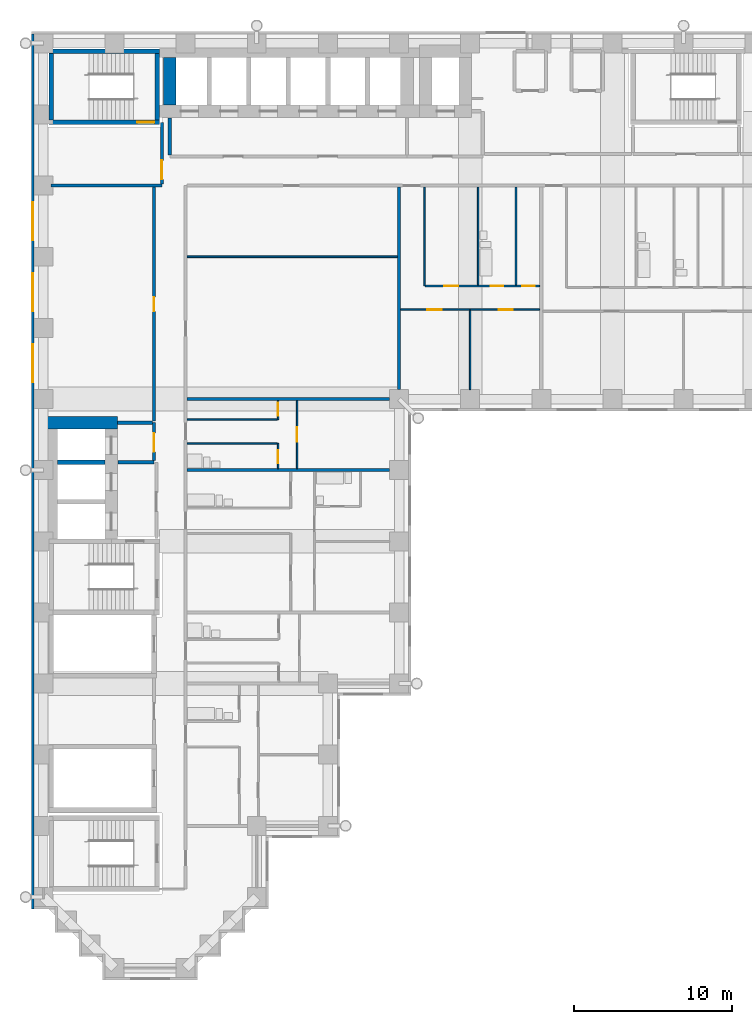
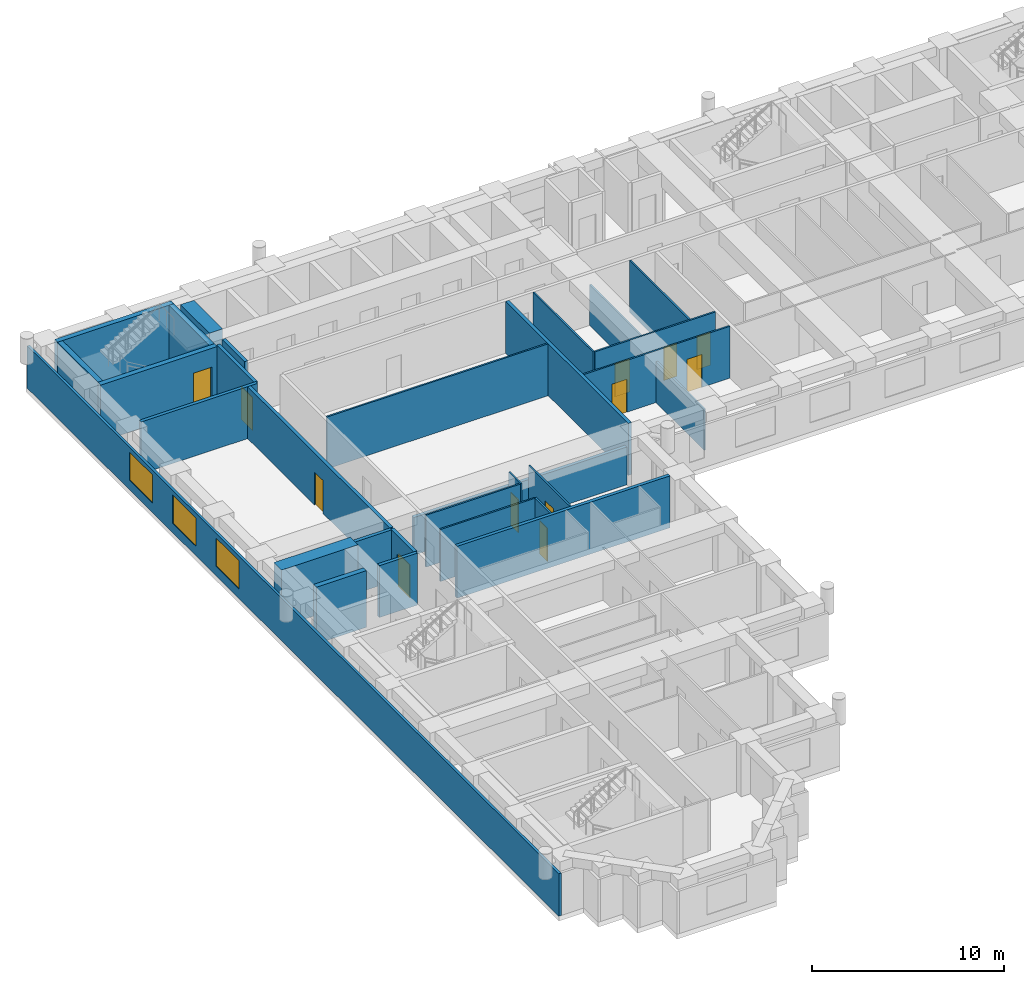
# One storey, part 7 of 14: 30 walls, 12 doors, 3 windows, 15 openings.
"""IFC4 building model written with IfcOpenShell, lengths in metres."""

from ifc_helpers import new_model, si_unit, direction, frame, frame_2d, origin, place, context, subcontext, project, spatial, rectangle, extrude, material, layer, layer_set, type_object, element, fill, save


model = new_model("IFC4")

# Units and contexts
model_context = context("Model", 3, precision=1e-05, world=origin(), true_north=direction((0.0, 1.0)))
body_context = subcontext(model_context, "Body", "Model", "MODEL_VIEW")
ifc_project = project(units=[si_unit("LENGTHUNIT", "METRE"), si_unit("AREAUNIT", "SQUARE_METRE"), si_unit("VOLUMEUNIT", "CUBIC_METRE"), si_unit("PLANEANGLEUNIT", "RADIAN"), si_unit("MASSUNIT", "GRAM", prefix="KILO")], contexts=[model_context])

# Site, building, storey
site_placement = place(None, origin())
site = spatial("IfcSite", under=ifc_project, at=site_placement, CompositionType="ELEMENT")
building_placement = place(site_placement, origin())
building = spatial("IfcBuilding", under=site, at=building_placement, Name="Firuza Court", CompositionType="ELEMENT")
storey_placement = place(building_placement, frame((0.0, 0.0, 90.199951171875)))
storey = spatial("IfcBuildingStorey", under=building, at=storey_placement, Name="L22", CompositionType="ELEMENT", Elevation=90.199951171875)

# Walls
ifc_material_1 = material(Name="Moisture-resistant gypsum board partition")
ifc_layer_1 = layer(ifc_material_1, 0.10009765625)
ifc_layer_set_1 = layer_set([ifc_layer_1], Name="Moisture-resistant gypsum board partition")
wall_type_1 = type_object("IfcWallType", Name="Bathroom partition 100", PredefinedType="PLUMBINGWALL", material=ifc_layer_set_1)
wall_1_placement = place(storey_placement, frame((9.10009765625, 33.199951171875, 0.0), z_axis=(0.0, 0.0, 1.0), x_axis=(1.0, 0.0, 0.0)))
element("IfcWall", 1, at=wall_1_placement, inside=storey, type_object=wall_type_1, Name="Bathroom partition 100 L22", PredefinedType="PLUMBINGWALL", context=body_context, shape_type="SweptSolid", body=[
    extrude(rectangle(XDim=5.699951171875, YDim=0.10009765625, at=frame_2d((2.85009765625, 0.0))), origin(), (0.0, 0.0, 1.0), 3.300048828125),
])
wall_2_placement = place(storey_placement, frame((27.5, 43.199951171875, 0.0), z_axis=(0.0, 0.0, 1.0), x_axis=(0.0, 1.0, 0.0)))
element("IfcWall", 2, at=wall_2_placement, inside=storey, type_object=wall_type_1, Name="Bathroom partition 100 L22", PredefinedType="PLUMBINGWALL", context=body_context, shape_type="SweptSolid", body=[
    extrude(rectangle(XDim=6.199951171875, YDim=0.10009765625, at=frame_2d((3.10009765625, 0.0))), origin(), (0.0, 0.0, 1.0), 2.60009765625),
])
wall_3_placement = place(storey_placement, frame((29.89990234375, 43.199951171875, 0.0), z_axis=(0.0, 0.0, 1.0), x_axis=(0.0, 1.0, 0.0)))
element("IfcWall", 3, at=wall_3_placement, inside=storey, type_object=wall_type_1, Name="Bathroom partition 100 L22", PredefinedType="PLUMBINGWALL", context=body_context, shape_type="SweptSolid", body=[
    extrude(rectangle(XDim=6.199951171875, YDim=0.10009765625, at=frame_2d((3.10009765625, 0.0))), origin(), (0.0, 0.0, 1.0), 3.300048828125),
])

# Wall, opening, door
ifc_material_2 = material(Name="Concrete C60/75", Category="concrete")
ifc_layer_2 = layer(ifc_material_2, 0.300048828125)
ifc_layer_set_2 = layer_set([ifc_layer_2], Name="Concrete C60/75")
wall_type_2 = type_object("IfcWallType", Name="Core wall 300 C60/75", PredefinedType="SHEAR", material=ifc_layer_set_2)
wall_4_placement = place(storey_placement, frame((0.35009765625, 53.5, -0.300048828125), z_axis=(0.0, 0.0, 1.0), x_axis=(1.0, 0.0, 0.0)))
wall_4 = element("IfcWall", 4, at=wall_4_placement, inside=storey, type_object=wall_type_2, Name="Core wall stair L22", PredefinedType="SHEAR", context=body_context, shape_type="SweptSolid", body=[
    extrude(rectangle(XDim=7.0, YDim=0.300048828125, at=frame_2d((3.5, 0.0))), origin(), (0.0, 0.0, 1.0), 3.60009765625),
])
opening_1_placement = place(wall_4_placement, frame((5.580078125, 0.0, 0.300048828125)))
opening_1 = element("IfcOpeningElement", 5, at=opening_1_placement, cuts=wall_4, Name="Opening D22016", PredefinedType="OPENING", context=body_context, shape_type="SweptSolid", body=[
    extrude(rectangle(XDim=1.10009765625, YDim=2.10009765625, at=frame_2d((0.550048828125, 1.050048828125))), frame((0.0, 0.162109375, 0.0), z_axis=(0.0, -1.0, 0.0), x_axis=(1.0, 0.0, 0.0)), (0.0, 0.0, 1.0), 0.323974609375),
])
ifc_material_3 = material(Name="Timber door leaf in hardwood frame", Category="wood")
door_type_1 = type_object("IfcDoorType", Name="Stair door 1100", OperationType="SINGLE_SWING_LEFT", PredefinedType="DOOR", material=ifc_material_3)
door_1_placement = place(opening_1_placement, origin())
door_1 = element("IfcDoor", 6, at=door_1_placement, inside=storey, type_object=door_type_1, Name="Stair door S3", OperationType="SINGLE_SWING_RIGHT", OverallHeight=2.10009765625, OverallWidth=1.10009765625, PredefinedType="DOOR", context=body_context, shape_type="SweptSolid", body=[
    extrude(rectangle(XDim=1.10009765625, YDim=2.10009765625, at=frame_2d((0.550048828125, 1.050048828125))), frame((0.0, 0.02490234375, 0.0), z_axis=(0.0, -1.0, 0.0), x_axis=(1.0, 0.0, 0.0)), (0.0, 0.0, 1.0), 0.050048828125),
])
fill(opening_1, door_1)

# Walls
wall_5_placement = place(storey_placement, frame((0.35009765625, 58.0, -0.300048828125), z_axis=(0.0, 0.0, 1.0), x_axis=(1.0, 0.0, 0.0)))
element("IfcWall", 7, at=wall_5_placement, inside=storey, type_object=wall_type_2, Name="Core wall stair L22", PredefinedType="SHEAR", context=body_context, shape_type="SweptSolid", body=[
    extrude(rectangle(XDim=7.0, YDim=0.300048828125, at=frame_2d((3.5, 0.0))), origin(), (0.0, 0.0, 1.0), 3.60009765625),
])
wall_6_placement = place(storey_placement, frame((0.5, 53.64990234375, -0.300048828125), z_axis=(0.0, 0.0, 1.0), x_axis=(0.0, 1.0, 0.0)))
element("IfcWall", 8, at=wall_6_placement, inside=storey, type_object=wall_type_2, Name="Core wall stair L22", PredefinedType="SHEAR", context=body_context, shape_type="SweptSolid", body=[
    extrude(rectangle(XDim=4.2001953125, YDim=0.300048828125, at=frame_2d((2.10009765625, 0.0))), origin(), (0.0, 0.0, 1.0), 3.60009765625),
])
wall_7_placement = place(storey_placement, frame((0.89990234375, 32.0, -0.300048828125), z_axis=(0.0, 0.0, 1.0), x_axis=(1.0, 0.0, 0.0)))
element("IfcWall", 9, at=wall_7_placement, inside=storey, type_object=wall_type_2, Name="Core wall lift shaft L22", PredefinedType="SHEAR", context=body_context, shape_type="SweptSolid", body=[
    extrude(rectangle(XDim=3.0, YDim=0.300048828125, at=frame_2d((1.5, 0.0))), origin(), (0.0, 0.0, 1.0), 3.60009765625),
])
wall_8_placement = place(storey_placement, frame((7.199951171875, 53.64990234375, -0.300048828125), z_axis=(0.0, 0.0, 1.0), x_axis=(0.0, 1.0, 0.0)))
element("IfcWall", 10, at=wall_8_placement, inside=storey, type_object=wall_type_2, Name="Core wall stair L22", PredefinedType="SHEAR", context=body_context, shape_type="SweptSolid", body=[
    extrude(rectangle(XDim=4.2001953125, YDim=0.300048828125, at=frame_2d((2.10009765625, 0.0))), origin(), (0.0, 0.0, 1.0), 3.60009765625),
])
ifc_layer_3 = layer(ifc_material_2, 0.800048828125)
ifc_layer_set_3 = layer_set([ifc_layer_3], Name="Concrete C60/75")
wall_type_3 = type_object("IfcWallType", Name="Core wall 800 C60/75", PredefinedType="SHEAR", material=ifc_layer_set_3)
wall_9_placement = place(storey_placement, frame((0.10009765625, 34.5, -0.300048828125), z_axis=(0.0, 0.0, 1.0), x_axis=(1.0, 0.0, 0.0)))
element("IfcWall", 11, at=wall_9_placement, inside=storey, type_object=wall_type_3, Name="Core wall lift shaft L22", PredefinedType="SHEAR", context=body_context, shape_type="SweptSolid", body=[
    extrude(rectangle(XDim=4.599853515625, YDim=0.800048828125, at=frame_2d((2.2998046875, 0.0))), origin(), (0.0, 0.0, 1.0), 3.60009765625),
])
wall_10_placement = place(storey_placement, frame((8.0, 54.60009765625, -0.300048828125), z_axis=(0.0, 0.0, 1.0), x_axis=(0.0, 1.0, 0.0)))
element("IfcWall", 12, at=wall_10_placement, inside=storey, type_object=wall_type_3, Name="Core wall lift shaft L22", PredefinedType="SHEAR", context=body_context, shape_type="SweptSolid", body=[
    extrude(rectangle(XDim=3.0, YDim=0.800048828125, at=frame_2d((1.5, 0.0))), origin(), (0.0, 0.0, 1.0), 3.60009765625),
])

# Wall, opening, door
ifc_material_4 = material(Name="Blockwork, plastered both sides", Category="masonry")
ifc_layer_4 = layer(ifc_material_4, 0.199951171875)
ifc_layer_set_4 = layer_set([ifc_layer_4], Name="Blockwork, plastered both sides")
wall_type_4 = type_object("IfcWallType", Name="Corridor wall 200", PredefinedType="PARTITIONING", material=ifc_layer_set_4)
wall_11_placement = place(storey_placement, frame((7.0, 34.60009765625, 0.0), z_axis=(0.0, 0.0, 1.0), x_axis=(0.0, 1.0, 0.0)))
wall_11 = element("IfcWall", 13, at=wall_11_placement, inside=storey, type_object=wall_type_4, Name="Corridor wall 200 L22", PredefinedType="PARTITIONING", context=body_context, shape_type="SweptSolid", body=[
    extrude(rectangle(XDim=14.7998046875, YDim=0.199951171875, at=frame_2d((7.39990234375, 0.0))), origin(), (0.0, 0.0, 1.0), 3.300048828125),
])
opening_2_placement = place(wall_11_placement, frame((6.949951171875, 0.0, 0.0)))
opening_2 = element("IfcOpeningElement", 14, at=opening_2_placement, cuts=wall_11, Name="Opening D22040", PredefinedType="OPENING", context=body_context, shape_type="SweptSolid", body=[
    extrude(rectangle(XDim=0.89990234375, YDim=2.10009765625, at=frame_2d((0.449951171875, 1.050048828125))), frame((0.0, 0.11181640625, 0.0), z_axis=(0.0, -1.0, 0.0), x_axis=(1.0, 0.0, 0.0)), (0.0, 0.0, 1.0), 0.223876953125),
])
ifc_material_5 = material(Name="Timber door leaf in hardwood frame", Category="wood")
door_type_2 = type_object("IfcDoorType", Name="Room door 900 EI 30", OperationType="SINGLE_SWING_LEFT", PredefinedType="DOOR", material=ifc_material_5)
door_2_placement = place(opening_2_placement, origin())
door_2 = element("IfcDoor", 15, at=door_2_placement, inside=storey, type_object=door_type_2, Name="Residents' workroom door", OperationType="SINGLE_SWING_LEFT", OverallHeight=2.10009765625, OverallWidth=0.89990234375, PredefinedType="DOOR", context=body_context, shape_type="SweptSolid", body=[
    extrude(rectangle(XDim=0.89990234375, YDim=2.10009765625, at=frame_2d((0.449951171875, 1.050048828125))), frame((0.0, 0.02490234375, 0.0), z_axis=(0.0, -1.0, 0.0), x_axis=(1.0, 0.0, 0.0)), (0.0, 0.0, 1.0), 0.050048828125),
])
fill(opening_2, door_2)

ifc_material_6 = material(Name="Timber stud partition, plasterboard both sides", Category="wood")
ifc_layer_5 = layer(ifc_material_6, 0.10009765625)
ifc_layer_set_5 = layer_set([ifc_layer_5], Name="Timber stud partition, plasterboard both sides")
wall_type_5 = type_object("IfcWallType", Name="Partition wall 100", PredefinedType="PARTITIONING", material=ifc_layer_set_5)
wall_12_placement = place(storey_placement, frame((14.85009765625, 31.60009765625, 0.0), z_axis=(0.0, 0.0, 1.0), x_axis=(0.0, 1.0, 0.0)))
wall_12 = element("IfcWall", 16, at=wall_12_placement, inside=storey, type_object=wall_type_5, Name="Partition wall 100 L22", PredefinedType="PARTITIONING", context=body_context, shape_type="SweptSolid", body=[
    extrude(rectangle(XDim=1.599853515625, YDim=0.10009765625, at=frame_2d((0.7998046875, 0.0))), origin(), (0.0, 0.0, 1.0), 3.300048828125),
])
opening_3_placement = place(wall_12_placement, frame((0.35009765625, 0.0, 0.0)))
opening_3 = element("IfcOpeningElement", 17, at=opening_3_placement, cuts=wall_12, Name="Opening D22038", PredefinedType="OPENING", context=body_context, shape_type="SweptSolid", body=[
    extrude(rectangle(XDim=0.800048828125, YDim=2.10009765625, at=frame_2d((0.39990234375, 1.050048828125))), frame((0.0, 0.06201171875, 0.0), z_axis=(0.0, -1.0, 0.0), x_axis=(1.0, 0.0, 0.0)), (0.0, 0.0, 1.0), 0.1240234375),
])
ifc_material_7 = material(Name="Timber door leaf in hardwood frame", Category="wood")
door_type_3 = type_object("IfcDoorType", Name="Bathroom door 800", OperationType="SINGLE_SWING_LEFT", PredefinedType="DOOR", material=ifc_material_7)
door_3_placement = place(opening_3_placement, origin())
door_3 = element("IfcDoor", 18, at=door_3_placement, inside=storey, type_object=door_type_3, Name="Bathroom door", OperationType="SINGLE_SWING_LEFT", OverallHeight=2.10009765625, OverallWidth=0.800048828125, PredefinedType="DOOR", context=body_context, shape_type="SweptSolid", body=[
    extrude(rectangle(XDim=0.800048828125, YDim=2.10009765625, at=frame_2d((0.39990234375, 1.050048828125))), frame((0.0, 0.02490234375, 0.0), z_axis=(0.0, -1.0, 0.0), x_axis=(1.0, 0.0, 0.0)), (0.0, 0.0, 1.0), 0.050048828125),
])
fill(opening_3, door_3)

wall_13_placement = place(storey_placement, frame((16.050048828125, 31.60009765625, 0.0), z_axis=(0.0, 0.0, 1.0), x_axis=(0.0, 1.0, 0.0)))
wall_13 = element("IfcWall", 19, at=wall_13_placement, inside=storey, type_object=wall_type_5, Name="Partition wall 100 L22", PredefinedType="PARTITIONING", context=body_context, shape_type="SweptSolid", body=[
    extrude(rectangle(XDim=4.2998046875, YDim=0.10009765625, at=frame_2d((2.14990234375, 0.0))), origin(), (0.0, 0.0, 1.0), 3.300048828125),
])
opening_4_placement = place(wall_13_placement, frame((1.699951171875, 0.0, 0.0)))
opening_4 = element("IfcOpeningElement", 20, at=opening_4_placement, cuts=wall_13, Name="Opening D22039", PredefinedType="OPENING", context=body_context, shape_type="SweptSolid", body=[
    extrude(rectangle(XDim=0.89990234375, YDim=2.10009765625, at=frame_2d((0.449951171875, 1.050048828125))), frame((0.0, 0.06201171875, 0.0), z_axis=(0.0, -1.0, 0.0), x_axis=(1.0, 0.0, 0.0)), (0.0, 0.0, 1.0), 0.1240234375),
])
ifc_material_8 = material(Name="Timber door leaf in hardwood frame", Category="wood")
door_type_4 = type_object("IfcDoorType", Name="Room door 900", OperationType="SINGLE_SWING_LEFT", PredefinedType="DOOR", material=ifc_material_8)
door_4_placement = place(opening_4_placement, frame((0.89990234375, 0.0, 0.0), z_axis=(0.0, 0.0, 1.0), x_axis=(-1.0, 0.0, 0.0)))
door_4 = element("IfcDoor", 21, at=door_4_placement, inside=storey, type_object=door_type_4, Name="Studio room door", OperationType="SINGLE_SWING_RIGHT", OverallHeight=2.10009765625, OverallWidth=0.89990234375, PredefinedType="DOOR", context=body_context, shape_type="SweptSolid", body=[
    extrude(rectangle(XDim=0.89990234375, YDim=2.10009765625, at=frame_2d((0.449951171875, 1.050048828125))), frame((0.0, 0.02490234375, 0.0), z_axis=(0.0, -1.0, 0.0), x_axis=(1.0, 0.0, 0.0)), (0.0, 0.0, 1.0), 0.050048828125),
])
fill(opening_4, door_4)

# Wall
wall_14_placement = place(storey_placement, frame((9.10009765625, 34.699951171875, 0.0), z_axis=(0.0, 0.0, 1.0), x_axis=(1.0, 0.0, 0.0)))
element("IfcWall", 22, at=wall_14_placement, inside=storey, type_object=wall_type_5, Name="Partition wall 100 L22", PredefinedType="PARTITIONING", context=body_context, shape_type="SweptSolid", body=[
    extrude(rectangle(XDim=5.699951171875, YDim=0.10009765625, at=frame_2d((2.85009765625, 0.0))), origin(), (0.0, 0.0, 1.0), 3.300048828125),
])

# Wall, opening, door
wall_15_placement = place(storey_placement, frame((14.85009765625, 34.699951171875, 0.0), z_axis=(0.0, 0.0, 1.0), x_axis=(0.0, 1.0, 0.0)))
wall_15 = element("IfcWall", 23, at=wall_15_placement, inside=storey, type_object=wall_type_5, Name="Partition wall 100 L22", PredefinedType="PARTITIONING", context=body_context, shape_type="SweptSolid", body=[
    extrude(rectangle(XDim=1.199951171875, YDim=0.10009765625, at=frame_2d((0.60009765625, 0.0))), origin(), (0.0, 0.0, 1.0), 3.300048828125),
])
opening_5_placement = place(wall_15_placement, frame((0.25, 0.0, 0.0)))
opening_5 = element("IfcOpeningElement", 24, at=opening_5_placement, cuts=wall_15, Name="Opening D22041", PredefinedType="OPENING", context=body_context, shape_type="SweptSolid", body=[
    extrude(rectangle(XDim=0.800048828125, YDim=2.10009765625, at=frame_2d((0.39990234375, 1.050048828125))), frame((0.0, 0.06201171875, 0.0), z_axis=(0.0, -1.0, 0.0), x_axis=(1.0, 0.0, 0.0)), (0.0, 0.0, 1.0), 0.1240234375),
])
ifc_material_9 = material(Name="Timber door leaf in hardwood frame", Category="wood")
door_type_5 = type_object("IfcDoorType", Name="Room door 800", OperationType="SINGLE_SWING_LEFT", PredefinedType="DOOR", material=ifc_material_9)
door_5_placement = place(opening_5_placement, origin())
door_5 = element("IfcDoor", 25, at=door_5_placement, inside=storey, type_object=door_type_5, Name="Kitchen door", OperationType="SINGLE_SWING_LEFT", OverallHeight=2.10009765625, OverallWidth=0.800048828125, PredefinedType="DOOR", context=body_context, shape_type="SweptSolid", body=[
    extrude(rectangle(XDim=0.800048828125, YDim=2.10009765625, at=frame_2d((0.39990234375, 1.050048828125))), frame((0.0, 0.02490234375, 0.0), z_axis=(0.0, -1.0, 0.0), x_axis=(1.0, 0.0, 0.0)), (0.0, 0.0, 1.0), 0.050048828125),
])
fill(opening_5, door_5)

# Wall
wall_16_placement = place(storey_placement, frame((27.0, 36.60009765625, 0.0), z_axis=(0.0, 0.0, 1.0), x_axis=(0.0, 1.0, 0.0)))
element("IfcWall", 26, at=wall_16_placement, inside=storey, type_object=wall_type_5, Name="Partition wall 100 L22", PredefinedType="PARTITIONING", context=body_context, shape_type="SweptSolid", body=[
    extrude(rectangle(XDim=5.0, YDim=0.10009765625, at=frame_2d((2.5, 0.0))), origin(), (0.0, 0.0, 1.0), 2.60009765625),
])

# Wall, openings, doors
wall_17_placement = place(storey_placement, frame((22.60009765625, 41.64990234375, 0.0), z_axis=(0.0, 0.0, 1.0), x_axis=(1.0, 0.0, 0.0)))
wall_17 = element("IfcWall", 27, at=wall_17_placement, inside=storey, type_object=wall_type_5, Name="Partition wall 100 L22", PredefinedType="PARTITIONING", context=body_context, shape_type="SweptSolid", body=[
    extrude(rectangle(XDim=8.7998046875, YDim=0.10009765625, at=frame_2d((4.39990234375, 0.0))), origin(), (0.0, 0.0, 1.0), 3.300048828125),
])
opening_6_placement = place(wall_17_placement, frame((1.699951171875, 0.0, 0.0)))
opening_6 = element("IfcOpeningElement", 28, at=opening_6_placement, cuts=wall_17, Name="Opening D22046", PredefinedType="OPENING", context=body_context, shape_type="SweptSolid", body=[
    extrude(rectangle(XDim=0.89990234375, YDim=2.10009765625, at=frame_2d((0.449951171875, 1.050048828125))), frame((0.0, 0.06201171875, 0.0), z_axis=(0.0, -1.0, 0.0), x_axis=(1.0, 0.0, 0.0)), (0.0, 0.0, 1.0), 0.1240234375),
])
opening_7_placement = place(wall_17_placement, frame((6.199951171875, 0.0, 0.0)))
opening_7 = element("IfcOpeningElement", 29, at=opening_7_placement, cuts=wall_17, Name="Opening D22047", PredefinedType="OPENING", context=body_context, shape_type="SweptSolid", body=[
    extrude(rectangle(XDim=0.89990234375, YDim=2.10009765625, at=frame_2d((0.449951171875, 1.050048828125))), frame((0.0, 0.06201171875, 0.0), z_axis=(0.0, -1.0, 0.0), x_axis=(1.0, 0.0, 0.0)), (0.0, 0.0, 1.0), 0.1240234375),
])
door_6_placement = place(opening_6_placement, frame((0.89990234375, 0.0, 0.0), z_axis=(0.0, 0.0, 1.0), x_axis=(-1.0, 0.0, 0.0)))
door_6 = element("IfcDoor", 30, at=door_6_placement, inside=storey, type_object=door_type_4, Name="Living room door", OperationType="SINGLE_SWING_RIGHT", OverallHeight=2.10009765625, OverallWidth=0.89990234375, PredefinedType="DOOR", context=body_context, shape_type="SweptSolid", body=[
    extrude(rectangle(XDim=0.89990234375, YDim=2.10009765625, at=frame_2d((0.449951171875, 1.050048828125))), frame((0.0, 0.02490234375, 0.0), z_axis=(0.0, -1.0, 0.0), x_axis=(1.0, 0.0, 0.0)), (0.0, 0.0, 1.0), 0.050048828125),
])
fill(opening_6, door_6)
door_7_placement = place(opening_7_placement, frame((0.89990234375, 0.0, 0.0), z_axis=(0.0, 0.0, 1.0), x_axis=(-1.0, 0.0, 0.0)))
door_7 = element("IfcDoor", 31, at=door_7_placement, inside=storey, type_object=door_type_4, Name="Bedroom door", OperationType="SINGLE_SWING_RIGHT", OverallHeight=2.10009765625, OverallWidth=0.89990234375, PredefinedType="DOOR", context=body_context, shape_type="SweptSolid", body=[
    extrude(rectangle(XDim=0.89990234375, YDim=2.10009765625, at=frame_2d((0.449951171875, 1.050048828125))), frame((0.0, 0.02490234375, 0.0), z_axis=(0.0, -1.0, 0.0), x_axis=(1.0, 0.0, 0.0)), (0.0, 0.0, 1.0), 0.050048828125),
])
fill(opening_7, door_7)

# Wall
wall_18_placement = place(storey_placement, frame((24.10009765625, 43.14990234375, 0.0), z_axis=(0.0, 0.0, 1.0), x_axis=(0.0, 1.0, 0.0)))
element("IfcWall", 32, at=wall_18_placement, inside=storey, type_object=wall_type_5, Name="Partition wall 100 L22", PredefinedType="PARTITIONING", context=body_context, shape_type="SweptSolid", body=[
    extrude(rectangle(XDim=6.25, YDim=0.10009765625, at=frame_2d((3.125, 0.0))), origin(), (0.0, 0.0, 1.0), 3.300048828125),
])

# Wall, openings, doors
wall_19_placement = place(storey_placement, frame((24.14990234375, 43.14990234375, 0.0), z_axis=(0.0, 0.0, 1.0), x_axis=(1.0, 0.0, 0.0)))
wall_19 = element("IfcWall", 33, at=wall_19_placement, inside=storey, type_object=wall_type_5, Name="Partition wall 100 L22", PredefinedType="PARTITIONING", context=body_context, shape_type="SweptSolid", body=[
    extrude(rectangle(XDim=7.25, YDim=0.10009765625, at=frame_2d((3.625, 0.0))), origin(), (0.0, 0.0, 1.0), 3.300048828125),
])
opening_8_placement = place(wall_19_placement, frame((4.14990234375, 0.0, 0.0)))
opening_8 = element("IfcOpeningElement", 34, at=opening_8_placement, cuts=wall_19, Name="Opening D22058", PredefinedType="OPENING", context=body_context, shape_type="SweptSolid", body=[
    extrude(rectangle(XDim=0.800048828125, YDim=2.10009765625, at=frame_2d((0.39990234375, 1.050048828125))), frame((0.0, 0.06201171875, 0.0), z_axis=(0.0, -1.0, 0.0), x_axis=(1.0, 0.0, 0.0)), (0.0, 0.0, 1.0), 0.1240234375),
])
opening_9_placement = place(wall_19_placement, frame((1.199951171875, 0.0, 0.0)))
opening_9 = element("IfcOpeningElement", 35, at=opening_9_placement, cuts=wall_19, Name="Opening D22059", PredefinedType="OPENING", context=body_context, shape_type="SweptSolid", body=[
    extrude(rectangle(XDim=0.89990234375, YDim=2.10009765625, at=frame_2d((0.449951171875, 1.050048828125))), frame((0.0, 0.06201171875, 0.0), z_axis=(0.0, -1.0, 0.0), x_axis=(1.0, 0.0, 0.0)), (0.0, 0.0, 1.0), 0.1240234375),
])
opening_10_placement = place(wall_19_placement, frame((6.14990234375, 0.0, 0.0)))
opening_10 = element("IfcOpeningElement", 36, at=opening_10_placement, cuts=wall_19, Name="Opening D22060", PredefinedType="OPENING", context=body_context, shape_type="SweptSolid", body=[
    extrude(rectangle(XDim=0.800048828125, YDim=2.10009765625, at=frame_2d((0.39990234375, 1.050048828125))), frame((0.0, 0.06201171875, 0.0), z_axis=(0.0, -1.0, 0.0), x_axis=(1.0, 0.0, 0.0)), (0.0, 0.0, 1.0), 0.1240234375),
])
door_8_placement = place(opening_8_placement, origin())
door_8 = element("IfcDoor", 37, at=door_8_placement, inside=storey, type_object=door_type_3, Name="Bathroom door", OperationType="SINGLE_SWING_LEFT", OverallHeight=2.10009765625, OverallWidth=0.800048828125, PredefinedType="DOOR", context=body_context, shape_type="SweptSolid", body=[
    extrude(rectangle(XDim=0.800048828125, YDim=2.10009765625, at=frame_2d((0.39990234375, 1.050048828125))), frame((0.0, 0.02490234375, 0.0), z_axis=(0.0, -1.0, 0.0), x_axis=(1.0, 0.0, 0.0)), (0.0, 0.0, 1.0), 0.050048828125),
])
fill(opening_8, door_8)
door_9_placement = place(opening_10_placement, origin())
door_9 = element("IfcDoor", 38, at=door_9_placement, inside=storey, type_object=door_type_5, Name="Store door", OperationType="SINGLE_SWING_LEFT", OverallHeight=2.10009765625, OverallWidth=0.800048828125, PredefinedType="DOOR", context=body_context, shape_type="SweptSolid", body=[
    extrude(rectangle(XDim=0.800048828125, YDim=2.10009765625, at=frame_2d((0.39990234375, 1.050048828125))), frame((0.0, 0.02490234375, 0.0), z_axis=(0.0, -1.0, 0.0), x_axis=(1.0, 0.0, 0.0)), (0.0, 0.0, 1.0), 0.050048828125),
])
fill(opening_10, door_9)
door_10_placement = place(opening_9_placement, origin())
door_10 = element("IfcDoor", 39, at=door_10_placement, inside=storey, type_object=door_type_4, Name="Kitchen door", OperationType="SINGLE_SWING_LEFT", OverallHeight=2.10009765625, OverallWidth=0.89990234375, PredefinedType="DOOR", context=body_context, shape_type="SweptSolid", body=[
    extrude(rectangle(XDim=0.89990234375, YDim=2.10009765625, at=frame_2d((0.449951171875, 1.050048828125))), frame((0.0, 0.02490234375, 0.0), z_axis=(0.0, -1.0, 0.0), x_axis=(1.0, 0.0, 0.0)), (0.0, 0.0, 1.0), 0.050048828125),
])
fill(opening_9, door_10)

# Walls
wall_20_placement = place(storey_placement, frame((9.10009765625, 45.0, 0.0), z_axis=(0.0, 0.0, 1.0), x_axis=(1.0, 0.0, 0.0)))
element("IfcWall", 40, at=wall_20_placement, inside=storey, type_object=wall_type_5, Name="Partition wall 100 L22", PredefinedType="PARTITIONING", context=body_context, shape_type="SweptSolid", body=[
    extrude(rectangle(XDim=13.2998046875, YDim=0.10009765625, at=frame_2d((6.64990234375, 0.0))), origin(), (0.0, 0.0, 1.0), 3.300048828125),
])
ifc_layer_6 = layer(ifc_material_4, 0.199951171875)
ifc_layer_set_6 = layer_set([ifc_layer_6], Name="Blockwork, plastered both sides")
wall_type_6 = type_object("IfcWallType", Name="Party wall 200", PredefinedType="PARTITIONING", material=ifc_layer_set_6)
wall_21_placement = place(storey_placement, frame((9.10009765625, 31.5, 0.0), z_axis=(0.0, 0.0, 1.0), x_axis=(1.0, 0.0, 0.0)))
element("IfcWall", 41, at=wall_21_placement, inside=storey, type_object=wall_type_6, Name="Party wall 200 L22", PredefinedType="PARTITIONING", context=body_context, shape_type="SweptSolid", body=[
    extrude(rectangle(XDim=12.7998046875, YDim=0.199951171875, at=frame_2d((6.39990234375, 0.0))), origin(), (0.0, 0.0, 1.0), 3.300048828125),
])
wall_22_placement = place(storey_placement, frame((9.10009765625, 36.0, 0.0), z_axis=(0.0, 0.0, 1.0), x_axis=(1.0, 0.0, 0.0)))
element("IfcWall", 42, at=wall_22_placement, inside=storey, type_object=wall_type_6, Name="Party wall 200 L22", PredefinedType="PARTITIONING", context=body_context, shape_type="SweptSolid", body=[
    extrude(rectangle(XDim=12.7998046875, YDim=0.199951171875, at=frame_2d((6.39990234375, 0.0))), origin(), (0.0, 0.0, 1.0), 2.400146484375),
])
wall_23_placement = place(storey_placement, frame((22.5, 36.60009765625, 0.0), z_axis=(0.0, 0.0, 1.0), x_axis=(0.0, 1.0, 0.0)))
element("IfcWall", 43, at=wall_23_placement, inside=storey, type_object=wall_type_6, Name="Party wall 200 L22", PredefinedType="PARTITIONING", context=body_context, shape_type="SweptSolid", body=[
    extrude(rectangle(XDim=12.7998046875, YDim=0.199951171875, at=frame_2d((6.39990234375, 0.0))), origin(), (0.0, 0.0, 1.0), 3.300048828125),
])

# Wall, openings, windows
ifc_material_10 = material(Name="Ceramic tile", Category="ceramic")
ifc_layer_7 = layer(ifc_material_10, 0.02001953125)
ifc_material_11 = material(Name="Mineral wool insulation", Category="insulation")
ifc_layer_8 = layer(ifc_material_11, 0.050048828125)
ifc_material_12 = material(Name="Concrete C40/50 precast", Category="concrete")
ifc_layer_9 = layer(ifc_material_12, 0.080078125)
ifc_layer_set_7 = layer_set([ifc_layer_7, ifc_layer_8, ifc_layer_9], Name="Concrete C40/50 precast")
wall_type_7 = type_object("IfcWallType", Name="Precast cladding wall with turquoise TILE PANEL face 150", PredefinedType="STANDARD", material=ifc_layer_set_7)
wall_24_placement = place(storey_placement, frame((-0.675048828125, 59.10009765625, 0.0), z_axis=(0.0, 0.0, 1.0), x_axis=(0.0, -1.0, 0.0)))
wall_24 = element("IfcWall", 44, at=wall_24_placement, inside=storey, type_object=wall_type_7, Name="Facade wall L22 W", PredefinedType="STANDARD", context=body_context, shape_type="SweptSolid", body=[
    extrude(rectangle(XDim=55.35009765625, YDim=0.14990234375, at=frame_2d((27.675048828125, 0.0))), origin(), (0.0, 0.0, 1.0), 2.699951171875),
])
opening_11_placement = place(wall_24_placement, frame((10.64990234375, 0.0, 0.60009765625)))
opening_11 = element("IfcOpeningElement", 45, at=opening_11_placement, cuts=wall_24, Name="Opening W1", PredefinedType="OPENING", context=body_context, shape_type="SweptSolid", body=[
    extrude(rectangle(XDim=2.39990234375, YDim=1.800048828125, at=frame_2d((1.199951171875, 0.89990234375))), frame((0.0, 0.0869140625, 0.0), z_axis=(0.0, -1.0, 0.0), x_axis=(1.0, 0.0, 0.0)), (0.0, 0.0, 1.0), 0.173828125),
])
opening_12_placement = place(wall_24_placement, frame((15.14990234375, 0.0, 0.60009765625)))
opening_12 = element("IfcOpeningElement", 46, at=opening_12_placement, cuts=wall_24, Name="Opening W1", PredefinedType="OPENING", context=body_context, shape_type="SweptSolid", body=[
    extrude(rectangle(XDim=2.39990234375, YDim=1.800048828125, at=frame_2d((1.199951171875, 0.89990234375))), frame((0.0, 0.0869140625, 0.0), z_axis=(0.0, -1.0, 0.0), x_axis=(1.0, 0.0, 0.0)), (0.0, 0.0, 1.0), 0.173828125),
])
opening_13_placement = place(wall_24_placement, frame((19.64990234375, 0.0, 0.60009765625)))
opening_13 = element("IfcOpeningElement", 47, at=opening_13_placement, cuts=wall_24, Name="Opening W1", PredefinedType="OPENING", context=body_context, shape_type="SweptSolid", body=[
    extrude(rectangle(XDim=2.39990234375, YDim=1.800048828125, at=frame_2d((1.199951171875, 0.89990234375))), frame((0.0, 0.0869140625, 0.0), z_axis=(0.0, -1.0, 0.0), x_axis=(1.0, 0.0, 0.0)), (0.0, 0.0, 1.0), 0.173828125),
])
ifc_material_13 = material(Name="Aluminium frame, triple clear glazing", Category="aluminium")
window_type = type_object("IfcWindowType", Name="Window W1 2400 x 1800", PartitioningType="SINGLE_PANEL", PredefinedType="WINDOW", material=ifc_material_13)
window_1_placement = place(opening_11_placement, origin())
window_1 = element("IfcWindow", 48, at=window_1_placement, inside=storey, type_object=window_type, Name="Window L22", OverallHeight=1.800048828125, OverallWidth=2.39990234375, PartitioningType="SINGLE_PANEL", PredefinedType="WINDOW", context=body_context, shape_type="SweptSolid", body=[
    extrude(rectangle(XDim=2.39990234375, YDim=1.800048828125, at=frame_2d((1.199951171875, 0.89990234375))), frame((0.0, 0.030029296875, 0.0), z_axis=(0.0, -1.0, 0.0), x_axis=(1.0, 0.0, 0.0)), (0.0, 0.0, 1.0), 0.06005859375),
])
fill(opening_11, window_1)
window_2_placement = place(opening_12_placement, origin())
window_2 = element("IfcWindow", 49, at=window_2_placement, inside=storey, type_object=window_type, Name="Window L22", OverallHeight=1.800048828125, OverallWidth=2.39990234375, PartitioningType="SINGLE_PANEL", PredefinedType="WINDOW", context=body_context, shape_type="SweptSolid", body=[
    extrude(rectangle(XDim=2.39990234375, YDim=1.800048828125, at=frame_2d((1.199951171875, 0.89990234375))), frame((0.0, 0.030029296875, 0.0), z_axis=(0.0, -1.0, 0.0), x_axis=(1.0, 0.0, 0.0)), (0.0, 0.0, 1.0), 0.06005859375),
])
fill(opening_12, window_2)
window_3_placement = place(opening_13_placement, origin())
window_3 = element("IfcWindow", 50, at=window_3_placement, inside=storey, type_object=window_type, Name="Window L22", OverallHeight=1.800048828125, OverallWidth=2.39990234375, PartitioningType="SINGLE_PANEL", PredefinedType="WINDOW", context=body_context, shape_type="SweptSolid", body=[
    extrude(rectangle(XDim=2.39990234375, YDim=1.800048828125, at=frame_2d((1.199951171875, 0.89990234375))), frame((0.0, 0.030029296875, 0.0), z_axis=(0.0, -1.0, 0.0), x_axis=(1.0, 0.0, 0.0)), (0.0, 0.0, 1.0), 0.06005859375),
])
fill(opening_13, window_3)

# Walls
ifc_material_14 = material(Name="Blockwork, fire-rated", Category="masonry")
ifc_layer_10 = layer(ifc_material_14, 0.199951171875)
ifc_layer_set_8 = layer_set([ifc_layer_10], Name="Blockwork, fire-rated")
wall_type_8 = type_object("IfcWallType", Name="Shaft wall 200", PredefinedType="PARTITIONING", material=ifc_layer_set_8)
wall_25_placement = place(storey_placement, frame((8.0, 51.449951171875, 0.0), z_axis=(0.0, 0.0, 1.0), x_axis=(0.0, 1.0, 0.0)))
element("IfcWall", 51, at=wall_25_placement, inside=storey, type_object=wall_type_8, Name="Shaft wall 200 L22", PredefinedType="PARTITIONING", context=body_context, shape_type="SweptSolid", body=[
    extrude(rectangle(XDim=2.330078125, YDim=0.199951171875, at=frame_2d((1.1650390625, 0.0))), origin(), (0.0, 0.0, 1.0), 3.300048828125),
])
wall_26_placement = place(storey_placement, frame((4.719970703125, 32.0, 0.0), z_axis=(0.0, 0.0, 1.0), x_axis=(1.0, 0.0, 0.0)))
element("IfcWall", 52, at=wall_26_placement, inside=storey, type_object=wall_type_8, Name="Shaft wall 200 L22", PredefinedType="PARTITIONING", context=body_context, shape_type="SweptSolid", body=[
    extrude(rectangle(XDim=2.280029296875, YDim=0.199951171875, at=frame_2d((1.14013671875, 0.0))), origin(), (0.0, 0.0, 1.0), 3.300048828125),
])

# Wall, opening, door
wall_27_placement = place(storey_placement, frame((7.0, 32.10009765625, 0.0), z_axis=(0.0, 0.0, 1.0), x_axis=(0.0, 1.0, 0.0)))
wall_27 = element("IfcWall", 53, at=wall_27_placement, inside=storey, type_object=wall_type_8, Name="Shaft wall 200 L22", PredefinedType="PARTITIONING", context=body_context, shape_type="SweptSolid", body=[
    extrude(rectangle(XDim=2.39990234375, YDim=0.199951171875, at=frame_2d((1.199951171875, 0.0))), origin(), (0.0, 0.0, 1.0), 3.300048828125),
])
opening_14_placement = place(wall_27_placement, frame((0.550048828125, 0.0, 0.0)))
opening_14 = element("IfcOpeningElement", 54, at=opening_14_placement, cuts=wall_27, Name="Opening D22008", PredefinedType="OPENING", context=body_context, shape_type="SweptSolid", body=[
    extrude(rectangle(XDim=1.199951171875, YDim=2.10009765625, at=frame_2d((0.60009765625, 1.050048828125))), frame((0.0, 0.11181640625, 0.0), z_axis=(0.0, -1.0, 0.0), x_axis=(1.0, 0.0, 0.0)), (0.0, 0.0, 1.0), 0.223876953125),
])
ifc_material_15 = material(Name="Timber door leaf in hardwood frame", Category="wood")
door_type_6 = type_object("IfcDoorType", Name="Lobby door 1200", OperationType="SINGLE_SWING_LEFT", PredefinedType="DOOR", material=ifc_material_15)
door_11_placement = place(opening_14_placement, origin())
door_11 = element("IfcDoor", 55, at=door_11_placement, inside=storey, type_object=door_type_6, Name="Lobby door", OperationType="SINGLE_SWING_LEFT", OverallHeight=2.10009765625, OverallWidth=1.199951171875, PredefinedType="DOOR", context=body_context, shape_type="SweptSolid", body=[
    extrude(rectangle(XDim=1.199951171875, YDim=2.10009765625, at=frame_2d((0.60009765625, 1.050048828125))), frame((0.0, 0.02490234375, 0.0), z_axis=(0.0, -1.0, 0.0), x_axis=(1.0, 0.0, 0.0)), (0.0, 0.0, 1.0), 0.050048828125),
])
fill(opening_14, door_11)

# Walls
wall_28_placement = place(storey_placement, frame((4.699951171875, 34.5, 0.0), z_axis=(0.0, 0.0, 1.0), x_axis=(1.0, 0.0, 0.0)))
element("IfcWall", 56, at=wall_28_placement, inside=storey, type_object=wall_type_8, Name="Shaft wall 200 L22", PredefinedType="PARTITIONING", context=body_context, shape_type="SweptSolid", body=[
    extrude(rectangle(XDim=2.199951171875, YDim=0.199951171875, at=frame_2d((1.10009765625, 0.0))), origin(), (0.0, 0.0, 1.0), 3.300048828125),
])
wall_29_placement = place(storey_placement, frame((0.5, 49.5, 0.0), z_axis=(0.0, 0.0, 1.0), x_axis=(1.0, 0.0, 0.0)))
element("IfcWall", 57, at=wall_29_placement, inside=storey, type_object=wall_type_8, Name="Shaft wall 200 L22", PredefinedType="PARTITIONING", context=body_context, shape_type="SweptSolid", body=[
    extrude(rectangle(XDim=7.0, YDim=0.199951171875, at=frame_2d((3.5, 0.0))), origin(), (0.0, 0.0, 1.0), 3.300048828125),
])

# Wall, opening, door
wall_30_placement = place(storey_placement, frame((7.5, 49.60009765625, 0.0), z_axis=(0.0, 0.0, 1.0), x_axis=(0.0, 1.0, 0.0)))
wall_30 = element("IfcWall", 58, at=wall_30_placement, inside=storey, type_object=wall_type_8, Name="Shaft wall 200 L22", PredefinedType="PARTITIONING", context=body_context, shape_type="SweptSolid", body=[
    extrude(rectangle(XDim=3.89990234375, YDim=0.199951171875, at=frame_2d((1.949951171875, 0.0))), origin(), (0.0, 0.0, 1.0), 3.300048828125),
])
opening_15_placement = place(wall_30_placement, frame((0.300048828125, 0.0, 0.0)))
opening_15 = element("IfcOpeningElement", 59, at=opening_15_placement, cuts=wall_30, Name="Opening D22001", PredefinedType="OPENING", context=body_context, shape_type="SweptSolid", body=[
    extrude(rectangle(XDim=1.199951171875, YDim=2.10009765625, at=frame_2d((0.60009765625, 1.050048828125))), frame((0.0, 0.11181640625, 0.0), z_axis=(0.0, -1.0, 0.0), x_axis=(1.0, 0.0, 0.0)), (0.0, 0.0, 1.0), 0.223876953125),
])
door_12_placement = place(opening_15_placement, origin())
door_12 = element("IfcDoor", 60, at=door_12_placement, inside=storey, type_object=door_type_6, Name="Lobby door", OperationType="SINGLE_SWING_LEFT", OverallHeight=2.10009765625, OverallWidth=1.199951171875, PredefinedType="DOOR", context=body_context, shape_type="SweptSolid", body=[
    extrude(rectangle(XDim=1.199951171875, YDim=2.10009765625, at=frame_2d((0.60009765625, 1.050048828125))), frame((0.0, 0.02490234375, 0.0), z_axis=(0.0, -1.0, 0.0), x_axis=(1.0, 0.0, 0.0)), (0.0, 0.0, 1.0), 0.050048828125),
])
fill(opening_15, door_12)

save(model, "model.ifc")
